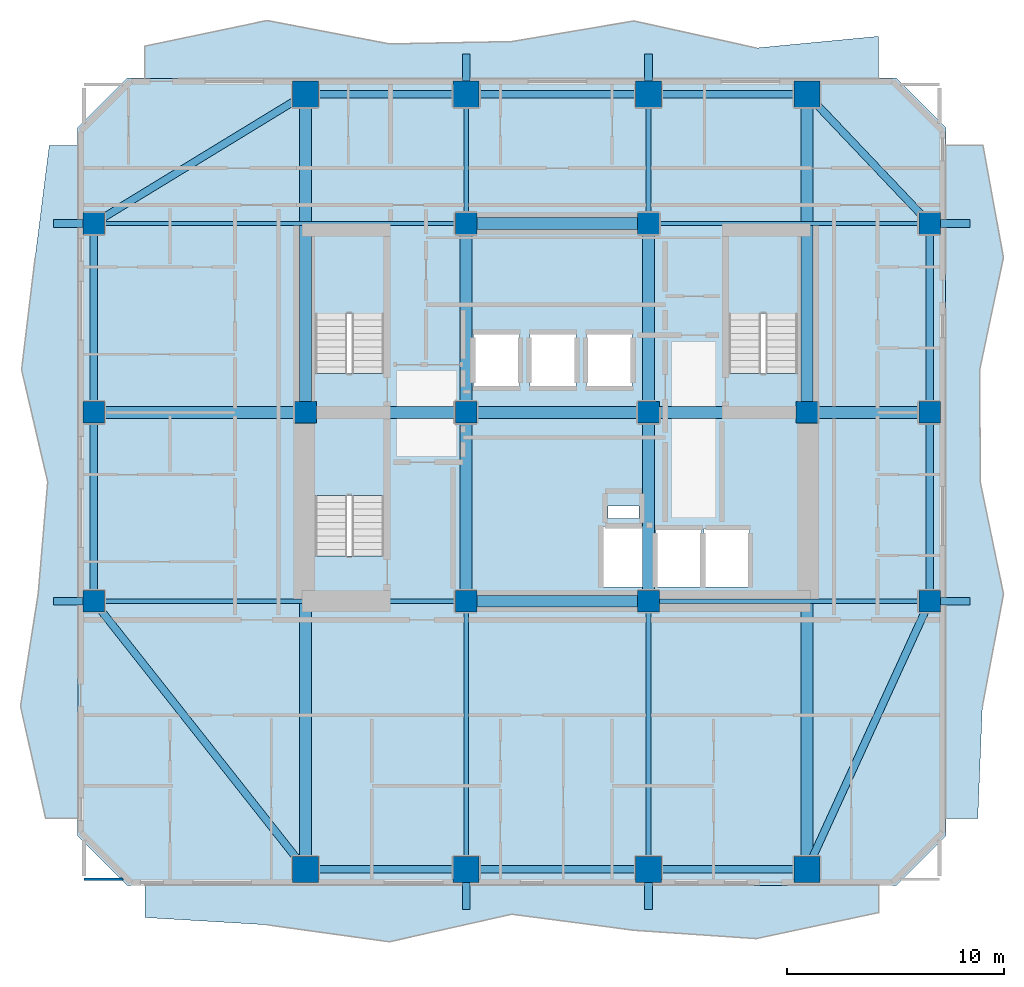
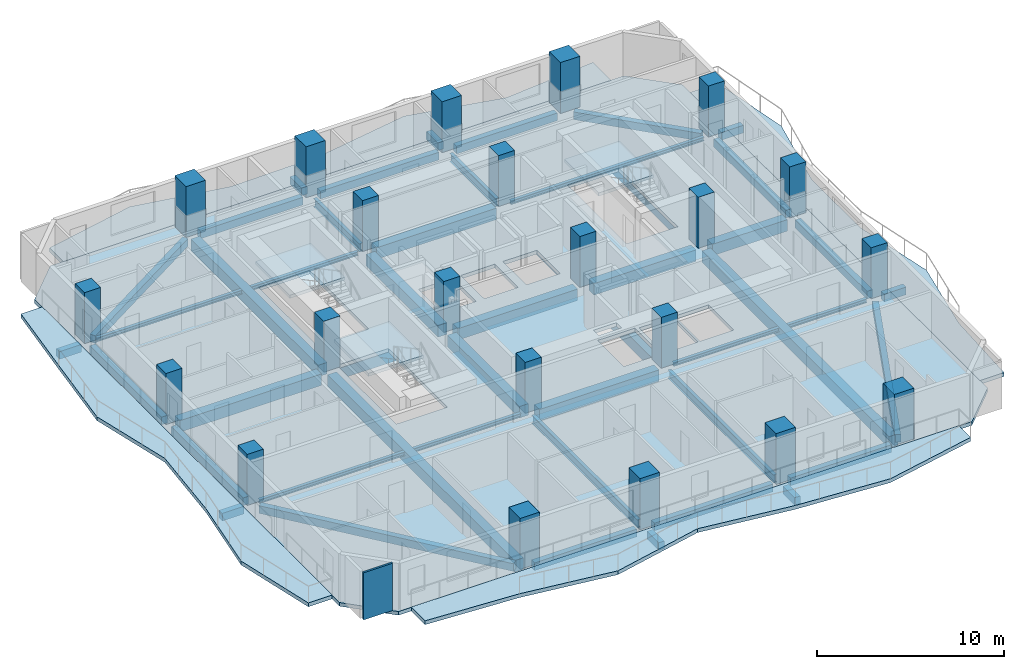
# One storey, part 1 of 11: 45 beams, 22 columns, 8 slabs, 1 wall, 3 elements without a shape of their own.
"""IFC4 building model written with IfcOpenShell, lengths in metres."""

from ifc_helpers import new_model, si_unit, direction, frame, frame_2d, origin, origin_2d, place, context, subcontext, project, spatial, polyline, rectangle, i_section, outline, extrude, material, layer, layer_set, material_profile, profile_set, type_object, element, aggregate, save


model = new_model("IFC4")

# Units and contexts
model_context = context("Model", 3, precision=1e-05, world=origin(), true_north=direction((0.0, 1.0)))
body_context = subcontext(model_context, "Body", "Model", "MODEL_VIEW")
ifc_project = project(units=[si_unit("LENGTHUNIT", "METRE"), si_unit("AREAUNIT", "SQUARE_METRE"), si_unit("VOLUMEUNIT", "CUBIC_METRE"), si_unit("PLANEANGLEUNIT", "RADIAN"), si_unit("MASSUNIT", "GRAM", prefix="KILO")], contexts=[model_context])

# Site, building, storey
site_placement = place(None, origin())
site = spatial("IfcSite", under=ifc_project, at=site_placement, CompositionType="ELEMENT")
building_placement = place(site_placement, origin())
building = spatial("IfcBuilding", under=site, at=building_placement, Name="Solanera Arch Residences", CompositionType="ELEMENT")
storey_placement = place(building_placement, frame((0.0, 0.0, 109.39990234375)))
storey = spatial("IfcBuildingStorey", under=building, at=storey_placement, Name="L31", CompositionType="ELEMENT", Elevation=109.39990234375)

# Columns
ifc_material_1 = material(Name="Concrete C55/67 (f'c = 60 MPa)", Category="concrete")
ifc_material_profile_1 = material_profile(ifc_material_1, rectangle(XDim=1.0, YDim=1.0, at=origin_2d()))
ifc_profile_set_1 = profile_set([ifc_material_profile_1], Name="Concrete C55/67 (f'c = 60 MPa)")
column_type_1 = type_object("IfcColumnType", Name="Structural Column RC-COL-1000X1000", PredefinedType="COLUMN", material=ifc_profile_set_1)
for number, where, z_axis, x_axis, name in (
    (1, (20.800048828125, 22.0, 0.0), (0.0, 0.0, 1.0), (1.0, 0.0, 0.0), "COL-L31-CB-SW"),
    (2, (29.199951171875, 22.0, 0.0), (0.0, 0.0, 1.0), (1.0, 0.0, 0.0), "COL-L31-CB-SE"),
    (3, (20.800048828125, 39.39990234375, 0.0), (0.0, 0.0, 1.0), (1.0, 0.0, 0.0), "COL-L31-CB-NW"),
    (4, (29.199951171875, 39.39990234375, 0.0), (0.0, 0.0, 1.0), (1.0, 0.0, 0.0), "COL-L31-CB-NE"),
    (5, (13.39990234375, 30.699951171875, 0.0), (0.0, 0.0, 1.0), (1.0, 0.0, 0.0), "COL-L31-CB-WW"),
    (6, (36.5, 30.699951171875, 0.0), (0.0, 0.0, 1.0), (1.0, 0.0, 0.0), "COL-L31-CB-EE"),
    (7, (20.800048828125, 30.699951171875, 0.0), (0.0, 0.0, 1.0), (1.0, 0.0, 0.0), "COL-L31-CORE-W"),
    (8, (29.199951171875, 30.699951171875, 0.0), (0.0, 0.0, 1.0), (1.0, 0.0, 0.0), "COL-L31-CORE-E"),
    (9, (3.64990234375, 22.0, 0.0), (0.0, 0.0, 1.0), (1.0, 0.0, 0.0), "COL-L31-TWR-09"),
    (10, (42.14990234375, 22.0, 0.0), (0.0, 0.0, 1.0), (1.0, 0.0, 0.0), "COL-L31-TWR-10"),
    (11, (3.64990234375, 30.699951171875, 0.0), (0.0, 0.0, 1.0), (1.0, 0.0, 0.0), "COL-L31-TWR-11"),
    (12, (42.14990234375, 30.699951171875, 0.0), (0.0, 0.0, 1.0), (1.0, 0.0, 0.0), "COL-L31-TWR-12"),
    (13, (3.64990234375, 39.39990234375, 0.0), (0.0, 0.0, 1.0), (1.0, 0.0, 0.0), "COL-L31-TWR-13"),
    (14, (42.14990234375, 39.39990234375, 0.0), (0.0, 0.0, 1.0), (1.0, 0.0, 0.0), "COL-L31-TWR-14"),
):
    element("IfcColumn", number, at=place(storey_placement, frame(where, z_axis=z_axis, x_axis=x_axis)), inside=storey, type_object=column_type_1, Name=name, PredefinedType="COLUMN", context=body_context, shape_type="SweptSolid", body=[
        extrude(rectangle(XDim=1.0, YDim=1.0, at=origin_2d()), origin(), (0.0, 0.0, 1.0), 3.320068359375),
    ])
ifc_material_2 = material(Name="Concrete C55/67 (f'c = 60 MPa)", Category="concrete")
ifc_material_profile_2 = material_profile(ifc_material_2, rectangle(XDim=1.199951171875, YDim=1.199951171875, at=origin_2d()))
ifc_profile_set_2 = profile_set([ifc_material_profile_2], Name="Concrete C55/67 (f'c = 60 MPa)")
column_type_2 = type_object("IfcColumnType", Name="Structural Column RC-COL-1200X1200", PredefinedType="COLUMN", material=ifc_profile_set_2)
for number, where, z_axis, x_axis, name in (
    (15, (13.39990234375, 9.64990234375, 0.0), (0.0, 0.0, 1.0), (1.0, 0.0, 0.0), "COL-L31-TWR-01"),
    (16, (13.39990234375, 45.35009765625, 0.0), (0.0, 0.0, 1.0), (1.0, 0.0, 0.0), "COL-L31-TWR-02"),
    (17, (20.800048828125, 9.64990234375, 0.0), (0.0, 0.0, 1.0), (1.0, 0.0, 0.0), "COL-L31-TWR-03"),
    (18, (20.800048828125, 45.35009765625, 0.0), (0.0, 0.0, 1.0), (1.0, 0.0, 0.0), "COL-L31-TWR-04"),
    (19, (29.199951171875, 9.64990234375, 0.0), (0.0, 0.0, 1.0), (1.0, 0.0, 0.0), "COL-L31-TWR-05"),
    (20, (29.199951171875, 45.35009765625, 0.0), (0.0, 0.0, 1.0), (1.0, 0.0, 0.0), "COL-L31-TWR-06"),
    (21, (36.5, 9.64990234375, 0.0), (0.0, 0.0, 1.0), (1.0, 0.0, 0.0), "COL-L31-TWR-07"),
    (22, (36.5, 45.35009765625, 0.0), (0.0, 0.0, 1.0), (1.0, 0.0, 0.0), "COL-L31-TWR-08"),
):
    element("IfcColumn", number, at=place(storey_placement, frame(where, z_axis=z_axis, x_axis=x_axis)), inside=storey, type_object=column_type_2, Name=name, PredefinedType="COLUMN", context=body_context, shape_type="SweptSolid", body=[
        extrude(rectangle(XDim=1.199951171875, YDim=1.199951171875, at=origin_2d()), origin(), (0.0, 0.0, 1.0), 3.320068359375),
    ])

# Beams
ifc_material_3 = material(Name="Concrete C40/50 (f'c = 45 MPa)", Category="concrete")
ifc_material_profile_3 = material_profile(ifc_material_3, rectangle(XDim=0.35009765625, YDim=0.5, at=origin_2d()))
ifc_profile_set_3 = profile_set([ifc_material_profile_3], Name="Concrete C40/50 (f'c = 45 MPa)")
beam_type_1 = type_object("IfcBeamType", Name="BM-BALC-RIB", PredefinedType="BEAM", material=ifc_profile_set_3)
for number, where, z_axis, x_axis, name in (
    (23, (20.800048828125, 7.800048828125, -0.5), (0.0, 1.0, 0.0), (-1.0, 0.0, 0.0), "BM-L31-BRIB-S1"),
    (24, (29.199951171875, 7.800048828125, -0.5), (0.0, 1.0, 0.0), (-1.0, 0.0, 0.0), "BM-L31-BRIB-S2"),
    (25, (20.800048828125, 45.949951171875, -0.5), (0.0, 1.0, 0.0), (-1.0, 0.0, 0.0), "BM-L31-BRIB-N1"),
    (26, (29.199951171875, 45.949951171875, -0.5), (0.0, 1.0, 0.0), (-1.0, 0.0, 0.0), "BM-L31-BRIB-N2"),
):
    element("IfcBeam", number, at=place(storey_placement, frame(where, z_axis=z_axis, x_axis=x_axis)), inside=storey, type_object=beam_type_1, Name=name, PredefinedType="BEAM", context=body_context, shape_type="SweptSolid", body=[
        extrude(rectangle(XDim=0.35009765625, YDim=0.5, at=origin_2d()), origin(), (0.0, 0.0, 1.0), 1.25),
    ])
for number, where, z_axis, x_axis, name in (
    (27, (42.64990234375, 22.0, -0.5), (1.0, 0.0, 0.0), (0.0, 1.0, 0.0), "BM-L31-BRIB-E1"),
    (28, (42.64990234375, 39.39990234375, -0.5), (1.0, 0.0, 0.0), (0.0, 1.0, 0.0), "BM-L31-BRIB-E2"),
):
    element("IfcBeam", number, at=place(storey_placement, frame(where, z_axis=z_axis, x_axis=x_axis)), inside=storey, type_object=beam_type_1, Name=name, PredefinedType="BEAM", context=body_context, shape_type="SweptSolid", body=[
        extrude(rectangle(XDim=0.35009765625, YDim=0.5, at=origin_2d()), origin(), (0.0, 0.0, 1.0), 1.35009765625),
    ])
for number, where, z_axis, x_axis, name in (
    (29, (1.800048828125, 22.0, -0.5), (1.0, 0.0, 0.0), (0.0, 1.0, 0.0), "BM-L31-BRIB-W1"),
    (30, (1.800048828125, 39.39990234375, -0.5), (1.0, 0.0, 0.0), (0.0, 1.0, 0.0), "BM-L31-BRIB-W2"),
):
    element("IfcBeam", number, at=place(storey_placement, frame(where, z_axis=z_axis, x_axis=x_axis)), inside=storey, type_object=beam_type_1, Name=name, PredefinedType="BEAM", context=body_context, shape_type="SweptSolid", body=[
        extrude(rectangle(XDim=0.35009765625, YDim=0.5, at=origin_2d()), origin(), (0.0, 0.0, 1.0), 1.349853515625),
    ])
ifc_material_4 = material(Name="Steel S355 (ASTM A992 / A572 Grade 50)", Category="steel")
ifc_material_profile_4 = material_profile(ifc_material_4, i_section(OverallWidth=0.208984375, OverallDepth=0.532958984375, WebThickness=0.01025390625, FlangeThickness=0.015625, at=origin_2d()))
ifc_profile_set_4 = profile_set([ifc_material_profile_4], Name="Steel S355 (ASTM A992 / A572 Grade 50)")
beam_type_2 = type_object("IfcBeamType", Name="Floor Beam W530X92", PredefinedType="BEAM", material=ifc_profile_set_4)
beam_1_placement = place(storey_placement, frame((20.800048828125, 10.18994140625, -0.505859375), z_axis=(0.0, 1.0, 0.0), x_axis=(-1.0, 0.0, 0.0)))
element("IfcBeam", 31, at=beam_1_placement, inside=storey, type_object=beam_type_2, Name="BM-L31-RAD-S-208", PredefinedType="BEAM", context=body_context, shape_type="SweptSolid", body=[
    extrude(i_section(OverallWidth=0.208984375, OverallDepth=0.532958984375, WebThickness=0.01025390625, FlangeThickness=0.015625, at=origin_2d()), origin(), (0.0, 0.0, 1.0), 11.30615234375),
])
beam_2_placement = place(storey_placement, frame((20.800048828125, 39.904052734375, -0.505859375), z_axis=(0.0, 1.0, 0.0), x_axis=(-1.0, 0.0, 0.0)))
element("IfcBeam", 32, at=beam_2_placement, inside=storey, type_object=beam_type_2, Name="BM-L31-RAD-N-208", PredefinedType="BEAM", context=body_context, shape_type="SweptSolid", body=[
    extrude(i_section(OverallWidth=0.208984375, OverallDepth=0.532958984375, WebThickness=0.01025390625, FlangeThickness=0.015625, at=origin_2d()), origin(), (0.0, 0.0, 1.0), 4.906005859375),
])
beam_3_placement = place(storey_placement, frame((29.199951171875, 10.18994140625, -0.505859375), z_axis=(0.0, 1.0, 0.0), x_axis=(-1.0, 0.0, 0.0)))
element("IfcBeam", 33, at=beam_3_placement, inside=storey, type_object=beam_type_2, Name="BM-L31-RAD-S-292", PredefinedType="BEAM", context=body_context, shape_type="SweptSolid", body=[
    extrude(i_section(OverallWidth=0.208984375, OverallDepth=0.532958984375, WebThickness=0.01025390625, FlangeThickness=0.015625, at=origin_2d()), origin(), (0.0, 0.0, 1.0), 11.30615234375),
])
beam_4_placement = place(storey_placement, frame((29.199951171875, 39.904052734375, -0.505859375), z_axis=(0.0, 1.0, 0.0), x_axis=(-1.0, 0.0, 0.0)))
element("IfcBeam", 34, at=beam_4_placement, inside=storey, type_object=beam_type_2, Name="BM-L31-RAD-N-292", PredefinedType="BEAM", context=body_context, shape_type="SweptSolid", body=[
    extrude(i_section(OverallWidth=0.208984375, OverallDepth=0.532958984375, WebThickness=0.01025390625, FlangeThickness=0.015625, at=origin_2d()), origin(), (0.0, 0.0, 1.0), 4.906005859375),
])
ifc_material_5 = material(Name="Concrete C40/50 (f'c = 45 MPa)", Category="concrete")
ifc_material_profile_5 = material_profile(ifc_material_5, rectangle(XDim=0.550048828125, YDim=0.75, at=origin_2d()))
ifc_profile_set_5 = profile_set([ifc_material_profile_5], Name="Concrete C40/50 (f'c = 45 MPa)")
beam_type_3 = type_object("IfcBeamType", Name="Primary Beam RC-BM-550X750", PredefinedType="BEAM", material=ifc_profile_set_5)
beam_5_placement = place(storey_placement, frame((20.800048828125, 22.50390625, -0.614990234375), z_axis=(0.0, 1.0, 0.0), x_axis=(-1.0, 0.0, 0.0)))
element("IfcBeam", 35, at=beam_5_placement, inside=storey, type_object=beam_type_3, Name="BM-L31-CC-S-208", PredefinedType="BEAM", context=body_context, shape_type="SweptSolid", body=[
    extrude(rectangle(XDim=0.550048828125, YDim=0.75, at=origin_2d()), origin(), (0.0, 0.0, 1.0), 7.692138671875),
])
beam_6_placement = place(storey_placement, frame((20.800048828125, 31.2041015625, -0.614990234375), z_axis=(0.0, 1.0, 0.0), x_axis=(-1.0, 0.0, 0.0)))
element("IfcBeam", 36, at=beam_6_placement, inside=storey, type_object=beam_type_3, Name="BM-L31-CC-N-208", PredefinedType="BEAM", context=body_context, shape_type="SweptSolid", body=[
    extrude(rectangle(XDim=0.550048828125, YDim=0.75, at=origin_2d()), origin(), (0.0, 0.0, 1.0), 7.69189453125),
])
beam_7_placement = place(storey_placement, frame((29.199951171875, 22.50390625, -0.614990234375), z_axis=(0.0, 1.0, 0.0), x_axis=(-1.0, 0.0, 0.0)))
element("IfcBeam", 37, at=beam_7_placement, inside=storey, type_object=beam_type_3, Name="BM-L31-CC-S-292", PredefinedType="BEAM", context=body_context, shape_type="SweptSolid", body=[
    extrude(rectangle(XDim=0.550048828125, YDim=0.75, at=origin_2d()), origin(), (0.0, 0.0, 1.0), 7.692138671875),
])
beam_8_placement = place(storey_placement, frame((29.199951171875, 31.2041015625, -0.614990234375), z_axis=(0.0, 1.0, 0.0), x_axis=(-1.0, 0.0, 0.0)))
element("IfcBeam", 38, at=beam_8_placement, inside=storey, type_object=beam_type_3, Name="BM-L31-CC-N-292", PredefinedType="BEAM", context=body_context, shape_type="SweptSolid", body=[
    extrude(rectangle(XDim=0.550048828125, YDim=0.75, at=origin_2d()), origin(), (0.0, 0.0, 1.0), 7.69189453125),
])
for number, where, z_axis, x_axis, name in (
    (39, (21.303955078125, 22.0, -0.614990234375), (1.0, 0.0, 0.0), (0.0, 1.0, 0.0), "BM-L31-CC-M-220"),
    (40, (21.303955078125, 30.699951171875, -0.614990234375), (1.0, 0.0, 0.0), (0.0, 1.0, 0.0), "BM-L31-CC-M-307"),
    (41, (21.303955078125, 39.39990234375, -0.614990234375), (1.0, 0.0, 0.0), (0.0, 1.0, 0.0), "BM-L31-CC-M-394"),
):
    element("IfcBeam", number, at=place(storey_placement, frame(where, z_axis=z_axis, x_axis=x_axis)), inside=storey, type_object=beam_type_3, Name=name, PredefinedType="BEAM", context=body_context, shape_type="SweptSolid", body=[
        extrude(rectangle(XDim=0.550048828125, YDim=0.75, at=origin_2d()), origin(), (0.0, 0.0, 1.0), 7.39208984375),
    ])
beam_9_placement = place(storey_placement, frame((13.904052734375, 30.699951171875, -0.614990234375), z_axis=(1.0, 0.0, 0.0), x_axis=(0.0, 1.0, 0.0)))
element("IfcBeam", 42, at=beam_9_placement, inside=storey, type_object=beam_type_3, Name="BM-L31-CC-W", PredefinedType="BEAM", context=body_context, shape_type="SweptSolid", body=[
    extrude(rectangle(XDim=0.550048828125, YDim=0.75, at=origin_2d()), origin(), (0.0, 0.0, 1.0), 6.391845703125),
])
beam_10_placement = place(storey_placement, frame((29.7041015625, 30.699951171875, -0.614990234375), z_axis=(1.0, 0.0, 0.0), x_axis=(0.0, 1.0, 0.0)))
element("IfcBeam", 43, at=beam_10_placement, inside=storey, type_object=beam_type_3, Name="BM-L31-CC-E", PredefinedType="BEAM", context=body_context, shape_type="SweptSolid", body=[
    extrude(rectangle(XDim=0.550048828125, YDim=0.75, at=origin_2d()), origin(), (0.0, 0.0, 1.0), 6.2919921875),
])
beam_11_placement = place(storey_placement, frame((13.39990234375, 10.18994140625, -0.614990234375), z_axis=(0.0, 1.0, 0.0), x_axis=(-1.0, 0.0, 0.0)))
element("IfcBeam", 44, at=beam_11_placement, inside=storey, type_object=beam_type_3, Name="BM-L31-RAD-OS-134", PredefinedType="BEAM", context=body_context, shape_type="SweptSolid", body=[
    extrude(rectangle(XDim=0.550048828125, YDim=0.75, at=origin_2d()), origin(), (0.0, 0.0, 1.0), 20.006103515625),
])
beam_12_placement = place(storey_placement, frame((13.39990234375, 31.2041015625, -0.614990234375), z_axis=(0.0, 1.0, 0.0), x_axis=(-1.0, 0.0, 0.0)))
element("IfcBeam", 45, at=beam_12_placement, inside=storey, type_object=beam_type_3, Name="BM-L31-RAD-ON-134", PredefinedType="BEAM", context=body_context, shape_type="SweptSolid", body=[
    extrude(rectangle(XDim=0.550048828125, YDim=0.75, at=origin_2d()), origin(), (0.0, 0.0, 1.0), 13.60595703125),
])
beam_13_placement = place(storey_placement, frame((36.5, 10.18994140625, -0.614990234375), z_axis=(0.0, 1.0, 0.0), x_axis=(-1.0, 0.0, 0.0)))
element("IfcBeam", 46, at=beam_13_placement, inside=storey, type_object=beam_type_3, Name="BM-L31-RAD-OS-365", PredefinedType="BEAM", context=body_context, shape_type="SweptSolid", body=[
    extrude(rectangle(XDim=0.550048828125, YDim=0.75, at=origin_2d()), origin(), (0.0, 0.0, 1.0), 20.006103515625),
])
beam_14_placement = place(storey_placement, frame((36.5, 31.2041015625, -0.614990234375), z_axis=(0.0, 1.0, 0.0), x_axis=(-1.0, 0.0, 0.0)))
element("IfcBeam", 47, at=beam_14_placement, inside=storey, type_object=beam_type_3, Name="BM-L31-RAD-ON-365", PredefinedType="BEAM", context=body_context, shape_type="SweptSolid", body=[
    extrude(rectangle(XDim=0.550048828125, YDim=0.75, at=origin_2d()), origin(), (0.0, 0.0, 1.0), 13.60595703125),
])
beam_15_placement = place(storey_placement, frame((4.154052734375, 30.699951171875, -0.614990234375), z_axis=(1.0, 0.0, 0.0), x_axis=(0.0, 1.0, 0.0)))
element("IfcBeam", 48, at=beam_15_placement, inside=storey, type_object=beam_type_3, Name="BM-L31-RAD-MW", PredefinedType="BEAM", context=body_context, shape_type="SweptSolid", body=[
    extrude(rectangle(XDim=0.550048828125, YDim=0.75, at=origin_2d()), origin(), (0.0, 0.0, 1.0), 8.741943359375),
])
beam_16_placement = place(storey_placement, frame((37.00390625, 30.699951171875, -0.614990234375), z_axis=(1.0, 0.0, 0.0), x_axis=(0.0, 1.0, 0.0)))
element("IfcBeam", 49, at=beam_16_placement, inside=storey, type_object=beam_type_3, Name="BM-L31-RAD-ME", PredefinedType="BEAM", context=body_context, shape_type="SweptSolid", body=[
    extrude(rectangle(XDim=0.550048828125, YDim=0.75, at=origin_2d()), origin(), (0.0, 0.0, 1.0), 4.64208984375),
])
ifc_material_6 = material(Name="Steel S355 (ASTM A992 / A572 Grade 50)", Category="steel")
ifc_material_profile_6 = material_profile(ifc_material_6, i_section(OverallWidth=0.201904296875, OverallDepth=0.2470703125, WebThickness=0.00732421875, FlangeThickness=0.010986328125, at=origin_2d()))
ifc_profile_set_6 = profile_set([ifc_material_profile_6], Name="Steel S355 (ASTM A992 / A572 Grade 50)")
beam_type_4 = type_object("IfcBeamType", Name="Secondary Joist W250X49.1", PredefinedType="JOIST", material=ifc_profile_set_6)
beam_17_placement = place(storey_placement, frame((4.154052734375, 22.0, -0.364013671875), z_axis=(1.0, 0.0, 0.0), x_axis=(0.0, 1.0, 0.0)))
element("IfcBeam", 50, at=beam_17_placement, inside=storey, type_object=beam_type_4, Name="BM-L31-RAD-W-220", PredefinedType="JOIST", context=body_context, shape_type="SweptSolid", body=[
    extrude(i_section(OverallWidth=0.201904296875, OverallDepth=0.2470703125, WebThickness=0.00732421875, FlangeThickness=0.010986328125, at=origin_2d()), origin(), (0.0, 0.0, 1.0), 16.141845703125),
])
beam_18_placement = place(storey_placement, frame((29.7041015625, 22.0, -0.364013671875), z_axis=(1.0, 0.0, 0.0), x_axis=(0.0, 1.0, 0.0)))
element("IfcBeam", 51, at=beam_18_placement, inside=storey, type_object=beam_type_4, Name="BM-L31-RAD-E-220", PredefinedType="JOIST", context=body_context, shape_type="SweptSolid", body=[
    extrude(i_section(OverallWidth=0.201904296875, OverallDepth=0.2470703125, WebThickness=0.00732421875, FlangeThickness=0.010986328125, at=origin_2d()), origin(), (0.0, 0.0, 1.0), 11.94189453125),
])
beam_19_placement = place(storey_placement, frame((4.154052734375, 39.39990234375, -0.364013671875), z_axis=(1.0, 0.0, 0.0), x_axis=(0.0, 1.0, 0.0)))
element("IfcBeam", 52, at=beam_19_placement, inside=storey, type_object=beam_type_4, Name="BM-L31-RAD-W-394", PredefinedType="JOIST", context=body_context, shape_type="SweptSolid", body=[
    extrude(i_section(OverallWidth=0.201904296875, OverallDepth=0.2470703125, WebThickness=0.00732421875, FlangeThickness=0.010986328125, at=origin_2d()), origin(), (0.0, 0.0, 1.0), 16.141845703125),
])
beam_20_placement = place(storey_placement, frame((29.7041015625, 39.39990234375, -0.364013671875), z_axis=(1.0, 0.0, 0.0), x_axis=(0.0, 1.0, 0.0)))
element("IfcBeam", 53, at=beam_20_placement, inside=storey, type_object=beam_type_4, Name="BM-L31-RAD-E-394", PredefinedType="JOIST", context=body_context, shape_type="SweptSolid", body=[
    extrude(i_section(OverallWidth=0.201904296875, OverallDepth=0.2470703125, WebThickness=0.00732421875, FlangeThickness=0.010986328125, at=origin_2d()), origin(), (0.0, 0.0, 1.0), 11.94189453125),
])
ifc_material_7 = material(Name="Concrete C40/50 (f'c = 45 MPa)", Category="concrete")
ifc_material_profile_7 = material_profile(ifc_material_7, rectangle(XDim=0.35009765625, YDim=0.5, at=origin_2d()))
ifc_profile_set_7 = profile_set([ifc_material_profile_7], Name="Concrete C40/50 (f'c = 45 MPa)")
beam_type_5 = type_object("IfcBeamType", Name="Spandrel Beam RC-BM-350X500", PredefinedType="SPANDREL", material=ifc_profile_set_7)
for number, where, z_axis, x_axis, name in (
    (54, (13.93994140625, 9.64990234375, -0.489990234375), (1.0, 0.0, 0.0), (0.0, 1.0, 0.0), "BM-L31-SPN-S-1"),
    (55, (13.93994140625, 45.35009765625, -0.489990234375), (1.0, 0.0, 0.0), (0.0, 1.0, 0.0), "BM-L31-SPN-N-1"),
):
    element("IfcBeam", number, at=place(storey_placement, frame(where, z_axis=z_axis, x_axis=x_axis)), inside=storey, type_object=beam_type_5, Name=name, PredefinedType="SPANDREL", context=body_context, shape_type="SweptSolid", body=[
        extrude(rectangle(XDim=0.35009765625, YDim=0.5, at=origin_2d()), origin(), (0.0, 0.0, 1.0), 6.320068359375),
    ])
for number, where, z_axis, x_axis, name in (
    (56, (21.340087890625, 9.64990234375, -0.489990234375), (1.0, 0.0, 0.0), (0.0, 1.0, 0.0), "BM-L31-SPN-S-2"),
    (57, (21.340087890625, 45.35009765625, -0.489990234375), (1.0, 0.0, 0.0), (0.0, 1.0, 0.0), "BM-L31-SPN-N-2"),
):
    element("IfcBeam", number, at=place(storey_placement, frame(where, z_axis=z_axis, x_axis=x_axis)), inside=storey, type_object=beam_type_5, Name=name, PredefinedType="SPANDREL", context=body_context, shape_type="SweptSolid", body=[
        extrude(rectangle(XDim=0.35009765625, YDim=0.5, at=origin_2d()), origin(), (0.0, 0.0, 1.0), 7.31982421875),
    ])
for number, where, z_axis, x_axis, name in (
    (58, (29.739990234375, 9.64990234375, -0.489990234375), (1.0, 0.0, 0.0), (0.0, 1.0, 0.0), "BM-L31-SPN-S-3"),
    (59, (29.739990234375, 45.35009765625, -0.489990234375), (1.0, 0.0, 0.0), (0.0, 1.0, 0.0), "BM-L31-SPN-N-3"),
):
    element("IfcBeam", number, at=place(storey_placement, frame(where, z_axis=z_axis, x_axis=x_axis)), inside=storey, type_object=beam_type_5, Name=name, PredefinedType="SPANDREL", context=body_context, shape_type="SweptSolid", body=[
        extrude(rectangle(XDim=0.35009765625, YDim=0.5, at=origin_2d()), origin(), (0.0, 0.0, 1.0), 6.219970703125),
    ])
for number, where, z_axis, x_axis, name in (
    (60, (3.64990234375, 22.50390625, -0.489990234375), (0.0, 1.0, 0.0), (-1.0, 0.0, 0.0), "BM-L31-SPN-W-1"),
    (61, (42.14990234375, 22.50390625, -0.489990234375), (0.0, 1.0, 0.0), (-1.0, 0.0, 0.0), "BM-L31-SPN-E-1"),
):
    element("IfcBeam", number, at=place(storey_placement, frame(where, z_axis=z_axis, x_axis=x_axis)), inside=storey, type_object=beam_type_5, Name=name, PredefinedType="SPANDREL", context=body_context, shape_type="SweptSolid", body=[
        extrude(rectangle(XDim=0.35009765625, YDim=0.5, at=origin_2d()), origin(), (0.0, 0.0, 1.0), 7.692138671875),
    ])
for number, where, z_axis, x_axis, name in (
    (62, (3.64990234375, 31.2041015625, -0.489990234375), (0.0, 1.0, 0.0), (-1.0, 0.0, 0.0), "BM-L31-SPN-W-2"),
    (63, (42.14990234375, 31.2041015625, -0.489990234375), (0.0, 1.0, 0.0), (-1.0, 0.0, 0.0), "BM-L31-SPN-E-2"),
):
    element("IfcBeam", number, at=place(storey_placement, frame(where, z_axis=z_axis, x_axis=x_axis)), inside=storey, type_object=beam_type_5, Name=name, PredefinedType="SPANDREL", context=body_context, shape_type="SweptSolid", body=[
        extrude(rectangle(XDim=0.35009765625, YDim=0.5, at=origin_2d()), origin(), (0.0, 0.0, 1.0), 7.69189453125),
    ])
beam_21_placement = place(storey_placement, frame((13.06494140625, 10.073974609375, -0.489990234375), z_axis=(-0.619616738842, 0.784904514541, 0.0), x_axis=(-0.784904514541, -0.619616738842, 0.0)))
element("IfcBeam", 64, at=beam_21_placement, inside=storey, type_object=beam_type_5, Name="BM-L31-SPN-SW", PredefinedType="SPANDREL", context=body_context, shape_type="SweptSolid", body=[
    extrude(rectangle(XDim=0.35009765625, YDim=0.5, at=origin_2d()), origin(), (0.0, 0.0, 1.0), 14.654052734375),
])
beam_22_placement = place(storey_placement, frame((12.93896484375, 45.069091796875, -0.489990234375), z_axis=(-0.85356704597, -0.520983011271, 0.0), x_axis=(0.520983011271, -0.85356704597, 0.0)))
element("IfcBeam", 65, at=beam_22_placement, inside=storey, type_object=beam_type_5, Name="BM-L31-SPN-NW", PredefinedType="SPANDREL", context=body_context, shape_type="SweptSolid", body=[
    extrude(rectangle(XDim=0.35009765625, YDim=0.5, at=origin_2d()), origin(), (0.0, 0.0, 1.0), 10.34228515625),
])
beam_23_placement = place(storey_placement, frame((36.72509765625, 10.14111328125, -0.489990234375), z_axis=(0.415970676335, 0.909378027241, 0.0), x_axis=(-0.909378027241, 0.415970676335, 0.0)))
element("IfcBeam", 66, at=beam_23_placement, inside=storey, type_object=beam_type_5, Name="BM-L31-SPN-SE", PredefinedType="SPANDREL", context=body_context, shape_type="SweptSolid", body=[
    extrude(rectangle(XDim=0.35009765625, YDim=0.5, at=origin_2d()), origin(), (0.0, 0.0, 1.0), 12.500732421875),
])
beam_24_placement = place(storey_placement, frame((36.8720703125, 44.9580078125, -0.489990234375), z_axis=(0.688623365426, -0.7251192044, 0.0), x_axis=(0.7251192044, 0.688623365426, 0.0)))
element("IfcBeam", 67, at=beam_24_placement, inside=storey, type_object=beam_type_5, Name="BM-L31-SPN-NE", PredefinedType="SPANDREL", context=body_context, shape_type="SweptSolid", body=[
    extrude(rectangle(XDim=0.35009765625, YDim=0.5, at=origin_2d()), origin(), (0.0, 0.0, 1.0), 7.124267578125),
])

# Slabs
ifc_material_8 = material(Name="Concrete C40/50 (f'c = 45 MPa)", Category="concrete")
ifc_layer_1 = layer(ifc_material_8, 0.25)
ifc_layer_set_1 = layer_set([ifc_layer_1], Name="Concrete C40/50 (f'c = 45 MPa)")
slab_type_1 = type_object("IfcSlabType", Name="Balcony Slab 250", PredefinedType="FLOOR", material=ifc_layer_set_1)
slab_1_placement = place(storey_placement, frame((0.0, 0.0, -0.25)))
element("IfcSlab", 68, at=slab_1_placement, inside=storey, type_object=slab_type_1, Name="L31 S Rippling Brise-Soleil Balcony Slab", PredefinedType="FLOOR", context=body_context, shape_type="SweptSolid", body=[
    extrude(outline(polyline([(6.0, 7.43505859375), (11.633056640625, 7.09912109375), (17.26708984375, 6.319091796875), (22.89990234375, 7.587890625), (28.532958984375, 6.84912109375), (34.1669921875, 6.465087890625), (39.800048828125, 7.6640625), (39.800048828125, 8.919921875), (6.0, 8.919921875), (6.0, 7.43505859375)])), origin(), (0.0, 0.0, 1.0), 0.25),
])
slab_2_placement = place(storey_placement, frame((0.0, 0.0, -0.25)))
element("IfcSlab", 69, at=slab_2_placement, inside=storey, type_object=slab_type_1, Name="L31 N Rippling Brise-Soleil Balcony Slab", PredefinedType="FLOOR", context=body_context, shape_type="SweptSolid", body=[
    extrude(outline(polyline([(39.800048828125, 48.02099609375), (34.1669921875, 47.48193359375), (28.532958984375, 48.72607421875), (22.89990234375, 47.777099609375), (17.26708984375, 47.6689453125), (11.633056640625, 48.7470703125), (6.0, 47.56494140625), (6.0, 46.080078125), (39.800048828125, 46.080078125), (39.800048828125, 48.02099609375)])), origin(), (0.0, 0.0, 1.0), 0.25),
])
slab_3_placement = place(storey_placement, frame((0.0, 0.0, -0.25)))
element("IfcSlab", 70, at=slab_3_placement, inside=storey, type_object=slab_type_1, Name="L31 E Rippling Brise-Soleil Balcony Slab", PredefinedType="FLOOR", context=body_context, shape_type="SweptSolid", body=[
    extrude(outline(polyline([(44.364990234375, 12.0), (44.576904296875, 17.1669921875), (45.548095703125, 22.3330078125), (44.47705078125, 27.5), (44.452880859375, 32.6669921875), (45.544921875, 37.8330078125), (44.60302734375, 43.0), (42.8798828125, 43.0), (42.8798828125, 12.0), (44.364990234375, 12.0)])), origin(), (0.0, 0.0, 1.0), 0.25),
])
slab_4_placement = place(storey_placement, frame((0.0, 0.0, -0.25)))
element("IfcSlab", 71, at=slab_4_placement, inside=storey, type_object=slab_type_1, Name="L31 W Rippling Brise-Soleil Balcony Slab", PredefinedType="FLOOR", context=body_context, shape_type="SweptSolid", body=[
    extrude(outline(polyline([(1.60107421875, 43.0), (0.950927734375, 37.8330078125), (0.326904296875, 32.6669921875), (1.529052734375, 27.5), (1.089111328125, 22.3330078125), (0.277099609375, 17.1669921875), (1.43505859375, 12.0), (2.919921875, 12.0), (2.919921875, 43.0), (1.60107421875, 43.0)])), origin(), (0.0, 0.0, 1.0), 0.25),
])

# Stair, slab
ifc_material_9 = material(Name="Concrete C40/50 (f'c = 45 MPa)", Category="concrete")
stair_type = type_object("IfcStairType", Name="Tower Dogleg Exit Stair 1480", PredefinedType="HALF_TURN_STAIR", material=ifc_material_9)
stair_1_placement = place(storey_placement, origin())
stair_1 = element("IfcStair", 72, at=stair_1_placement, inside=storey, type_object=stair_type, Name="L31 Tower Core Exit Stair 1", PredefinedType="HALF_TURN_STAIR")
ifc_material_10 = material(Name="Concrete C40/50 (f'c = 45 MPa)", Category="concrete")
ifc_layer_2 = layer(ifc_material_10, 0.199951171875)
ifc_layer_set_2 = layer_set([ifc_layer_2], Name="Concrete C40/50 (f'c = 45 MPa)")
slab_type_2 = type_object("IfcSlabType", Name="Stair Half-Landing Slab 200", PredefinedType="LANDING", material=ifc_layer_set_2)
slab_5_placement = place(storey_placement, frame((0.0, 0.0, 1.460205078125)))
slab_5 = element("IfcSlab", 73, at=slab_5_placement, type_object=slab_type_2, Name="ST-T1 landing 1", PredefinedType="LANDING", context=body_context, shape_type="SweptSolid", body=[
    extrude(outline(polyline([(17.1201171875, 35.260009765625), (17.1201171875, 38.919921875), (13.719970703125, 38.919921875), (13.719970703125, 35.260009765625), (17.1201171875, 35.260009765625)])), origin(), (0.0, 0.0, 1.0), 0.199951171875),
])
aggregate(stair_1, [slab_5])

stair_2_placement = place(storey_placement, origin())
stair_2 = element("IfcStair", 74, at=stair_2_placement, inside=storey, type_object=stair_type, Name="L31 Tower Core Exit Stair 2", PredefinedType="HALF_TURN_STAIR")
slab_6_placement = place(storey_placement, frame((0.0, 0.0, 1.460205078125)))
slab_6 = element("IfcSlab", 75, at=slab_6_placement, type_object=slab_type_2, Name="ST-T2 landing 1", PredefinedType="LANDING", context=body_context, shape_type="SweptSolid", body=[
    extrude(outline(polyline([(36.179931640625, 35.260009765625), (36.179931640625, 38.919921875), (32.780029296875, 38.919921875), (32.780029296875, 35.260009765625), (36.179931640625, 35.260009765625)])), origin(), (0.0, 0.0, 1.0), 0.199951171875),
])
aggregate(stair_2, [slab_6])

stair_3_placement = place(storey_placement, origin())
stair_3 = element("IfcStair", 76, at=stair_3_placement, inside=storey, type_object=stair_type, Name="L31 Tower Core Exit Stair 3", PredefinedType="HALF_TURN_STAIR")
slab_7_placement = place(storey_placement, frame((0.0, 0.0, 1.460205078125)))
slab_7 = element("IfcSlab", 77, at=slab_7_placement, type_object=slab_type_2, Name="ST-T3 landing 1", PredefinedType="LANDING", context=body_context, shape_type="SweptSolid", body=[
    extrude(outline(polyline([(17.1201171875, 26.860107421875), (17.1201171875, 30.52001953125), (13.719970703125, 30.52001953125), (13.719970703125, 26.860107421875), (17.1201171875, 26.860107421875)])), origin(), (0.0, 0.0, 1.0), 0.199951171875),
])
aggregate(stair_3, [slab_7])

# Slab
ifc_material_11 = material(Name="Concrete C40/50 (f'c = 45 MPa)", Category="concrete")
ifc_layer_3 = layer(ifc_material_11, 0.239990234375)
ifc_layer_set_3 = layer_set([ifc_layer_3], Name="Concrete C40/50 (f'c = 45 MPa)")
slab_type_3 = type_object("IfcSlabType", Name="Suspended Floor Slab Post-Tensioned 240", PredefinedType="FLOOR", material=ifc_layer_set_3)
slab_8_placement = place(storey_placement, frame((0.0, 0.0, -0.239990234375)))
element("IfcSlab", 78, at=slab_8_placement, inside=storey, type_object=slab_type_3, Name="L31 Tower Post-Tensioned Floor Slab", PredefinedType="FLOOR", context=body_context, shape_type="SweptSolid", body=[
    extrude(outline(polyline([(5.199951171875, 8.89990234375), (40.60009765625, 8.89990234375), (42.89990234375, 11.199951171875), (42.89990234375, 43.800048828125), (40.60009765625, 46.10009765625), (5.199951171875, 46.10009765625), (2.89990234375, 43.800048828125), (2.89990234375, 11.199951171875), (5.199951171875, 8.89990234375)]), holes=[polyline([(13.840087890625, 32.48291015625), (13.840087890625, 38.800048828125), (17.0, 38.800048828125), (17.0, 32.48291015625), (13.840087890625, 32.48291015625)]), polyline([(32.89990234375, 32.48291015625), (32.89990234375, 38.800048828125), (36.06005859375, 38.800048828125), (36.06005859375, 32.48291015625), (32.89990234375, 32.48291015625)]), polyline([(13.840087890625, 24.0830078125), (13.840087890625, 30.39990234375), (17.0, 30.39990234375), (17.0, 24.0830078125), (13.840087890625, 24.0830078125)]), polyline([(21.14990234375, 34.35009765625), (23.25, 34.35009765625), (23.25, 31.85009765625), (21.14990234375, 31.85009765625), (21.14990234375, 34.35009765625)]), polyline([(23.75, 34.35009765625), (25.85009765625, 34.35009765625), (25.85009765625, 31.85009765625), (23.75, 31.85009765625), (23.75, 34.35009765625)]), polyline([(26.35009765625, 34.35009765625), (28.449951171875, 34.35009765625), (28.449951171875, 31.85009765625), (26.35009765625, 31.85009765625), (26.35009765625, 34.35009765625)]), polyline([(29.550048828125, 25.35009765625), (31.64990234375, 25.35009765625), (31.64990234375, 22.64990234375), (29.550048828125, 22.64990234375), (29.550048828125, 25.35009765625)]), polyline([(31.75, 25.35009765625), (33.85009765625, 25.35009765625), (33.85009765625, 22.64990234375), (31.75, 22.64990234375), (31.75, 25.35009765625)]), polyline([(27.050048828125, 25.449951171875), (29.35009765625, 25.449951171875), (29.35009765625, 22.64990234375), (27.050048828125, 22.64990234375), (27.050048828125, 25.449951171875)]), polyline([(27.340087890625, 26.3798828125), (28.760009765625, 26.3798828125), (28.760009765625, 25.820068359375), (27.340087890625, 25.820068359375), (27.340087890625, 26.3798828125)])]), origin(), (0.0, 0.0, 1.0), 0.239990234375),
])

# Wall
ifc_material_12 = material(Name="Fire-Rated Gypsum Stud Partition", Category="gypsum")
ifc_layer_4 = layer(ifc_material_12, 0.1201171875)
ifc_layer_set_4 = layer_set([ifc_layer_4], Name="Fire-Rated Gypsum Stud Partition")
wall_type = type_object("IfcWallType", Name="Unit Drywall Partition 120", PredefinedType="PARTITIONING", material=ifc_layer_set_4)
wall_placement = place(storey_placement, frame((3.199951171875, 9.199951171875, 0.0), z_axis=(0.0, 0.0, 1.0), x_axis=(1.0, 0.0, 0.0)))
element("IfcWall", 79, at=wall_placement, inside=storey, type_object=wall_type, Name="L31 Interior Partition H25 1", PredefinedType="PARTITIONING", context=body_context, shape_type="SweptSolid", body=[
    extrude(rectangle(XDim=1.795166015625, YDim=0.1201171875, at=frame_2d((0.8974609375, 0.0))), origin(), (0.0, 0.0, 1.0), 3.080078125),
])

save(model, "model.ifc")
